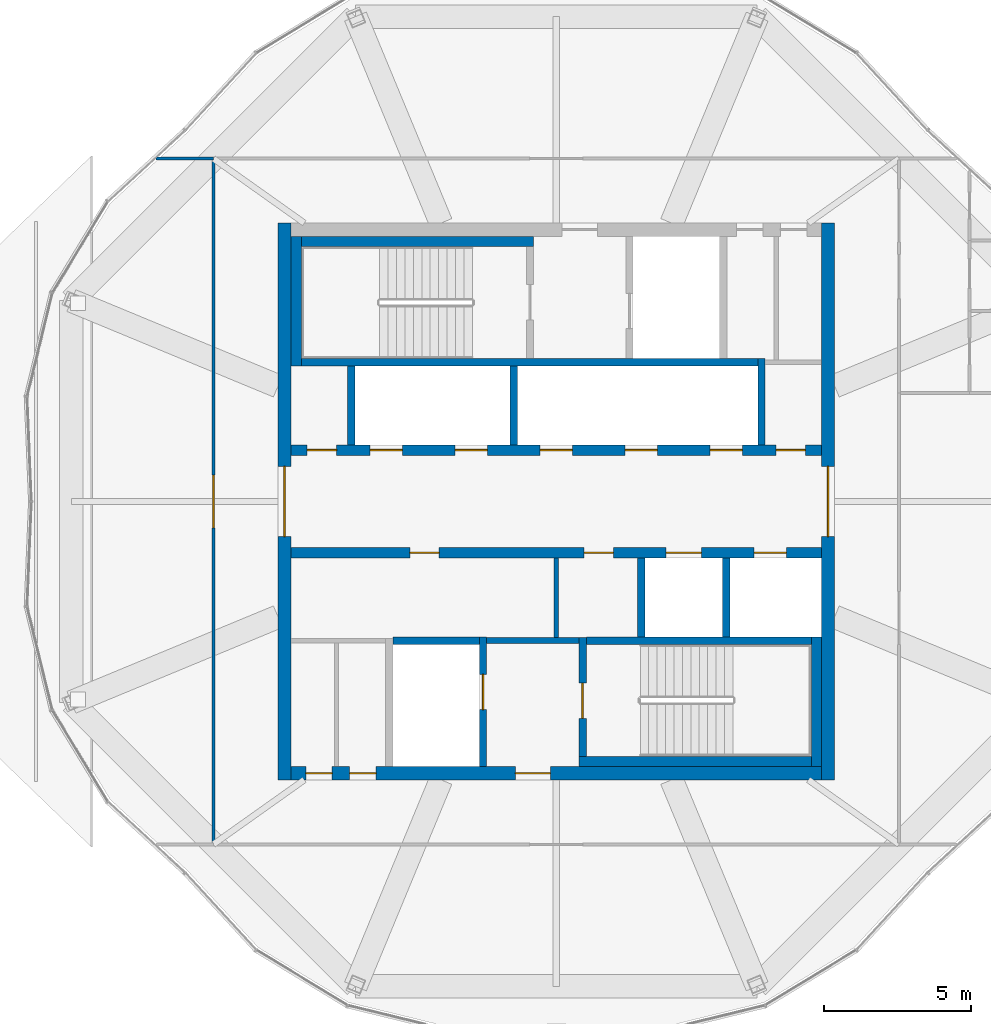
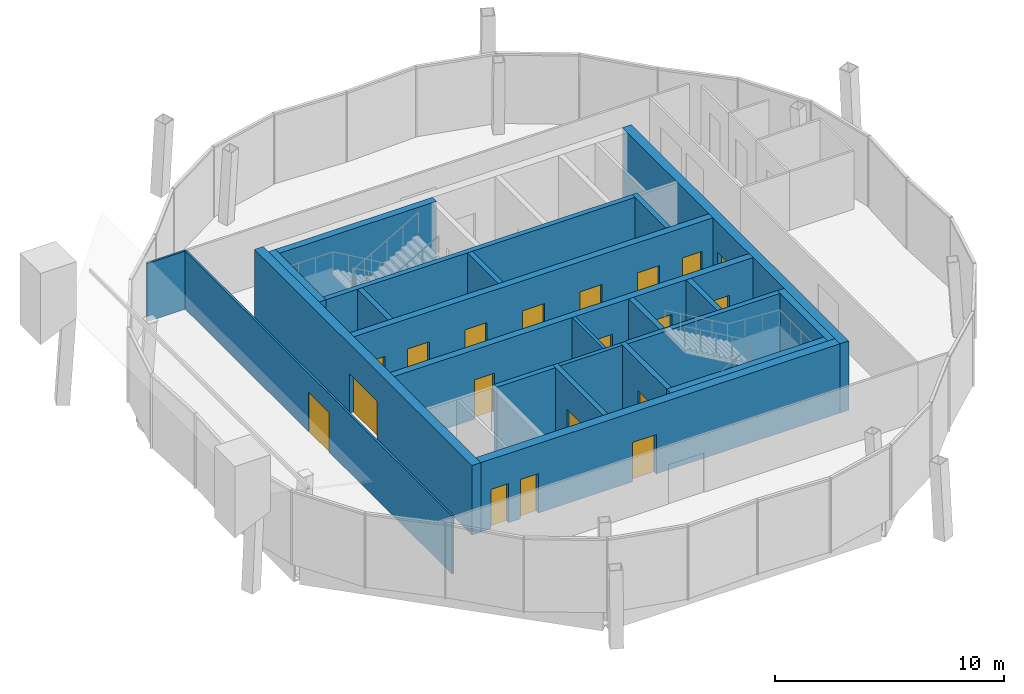
# One storey, part 16 of 22: 23 walls, 19 doors, 19 openings.
"""IFC4 building model written with IfcOpenShell, lengths in metres."""

import ifcopenshell
import ifcopenshell.guid

model = None  # the IFC model being written
_history = None  # IfcOwnerHistory: only IFC2X3 demands one
_inside = {}  # id of a spatial element -> (the spatial element, [elements in it])
_under = {}  # id of a project, library or spatial element -> (it, [spatial elements below it])
_declared = {}  # id of a project -> (the project, [libraries it declares])
_typed = {}  # id of a type object -> (the type object, [elements of that type])
_made_of = {}  # id of a material, layer set ... -> (it, [elements and type objects made of it])


def new_model(schema):
    """Start an empty IFC model of exactly this schema.

    Asked for "IFC4X3", IfcOpenShell would pick the latest addendum, in which some entities
    have other attributes; the version numbers below select the first issue.
    IFC2X3 requires an IfcOwnerHistory on every rooted entity: one is made here for all.
    """
    global model, _history
    if schema == "IFC4X3":
        model = ifcopenshell.file(schema_version=(4, 3, 0, 0))
    else:
        model = ifcopenshell.file(schema=schema)
    _inside.clear()
    _under.clear()
    _declared.clear()
    _typed.clear()
    _made_of.clear()
    _history = None
    if model.schema == "IFC2X3":
        org = make("IfcOrganization", Name="unknown")
        user = make(
            "IfcPersonAndOrganization",
            ThePerson=make("IfcPerson", FamilyName="unknown"),
            TheOrganization=org,
        )
        app = make(
            "IfcApplication",
            ApplicationDeveloper=org,
            Version="unknown",
            ApplicationFullName="unknown",
            ApplicationIdentifier="unknown",
        )
        _history = make(
            "IfcOwnerHistory",
            OwningUser=user,
            OwningApplication=app,
            ChangeAction="ADDED",
            CreationDate=0,
        )
    return model


def make(cls, **values):
    """One entity of the class cls with the attributes given. An attribute that is None is left unset."""
    return model.create_entity(
        cls, **{name: value for name, value in values.items() if value is not None}
    )


def rooted(cls, **values):
    """An entity with a GlobalId (a new one), such as an element, a storey or a relation."""
    return make(cls, GlobalId=ifcopenshell.guid.new(), OwnerHistory=_history, **values)


def si_unit(unit_type, name, prefix=None):
    """IfcSIUnit, for example si_unit("LENGTHUNIT", "METRE", prefix="MILLI")."""
    return make("IfcSIUnit", UnitType=unit_type, Prefix=prefix, Name=name)


def assignment(units):
    """IfcUnitAssignment: the units of a project."""
    return None if units is None else make("IfcUnitAssignment", Units=units)


def point(xyz):
    """IfcCartesianPoint."""
    return None if xyz is None else make("IfcCartesianPoint", Coordinates=xyz)


def direction(xyz):
    """IfcDirection."""
    return None if xyz is None else make("IfcDirection", DirectionRatios=xyz)


def frame(location, z_axis=None, x_axis=None):
    """IfcAxis2Placement3D, a coordinate frame: its origin and axes. An axis left out is left unset."""
    return make(
        "IfcAxis2Placement3D",
        Location=point(location),
        Axis=direction(z_axis),
        RefDirection=direction(x_axis),
    )


def frame_2d(location, x_axis=None):
    """IfcAxis2Placement2D, a coordinate frame in the plane: its origin and x axis."""
    return make(
        "IfcAxis2Placement2D", Location=point(location), RefDirection=direction(x_axis)
    )


def origin():
    """The frame at (0, 0, 0) with its axes left unset."""
    return frame((0.0, 0.0, 0.0))


def place(relative_to, where):
    """IfcLocalPlacement: puts the frame where relative to a parent placement (None: the world)."""
    return make(
        "IfcLocalPlacement", PlacementRelTo=relative_to, RelativePlacement=where
    )


def context(
    kind, dimensions, precision=None, world=None, true_north=None, identifier=None
):
    """IfcGeometricRepresentationContext, for example the 3D "Model" context."""
    return make(
        "IfcGeometricRepresentationContext",
        ContextIdentifier=identifier,
        ContextType=kind,
        CoordinateSpaceDimension=dimensions,
        Precision=precision,
        WorldCoordinateSystem=world,
        TrueNorth=true_north,
    )


def subcontext(parent, identifier, kind, view, scale=None):
    """IfcGeometricRepresentationSubContext, for example "Body" below "Model"."""
    return make(
        "IfcGeometricRepresentationSubContext",
        ContextIdentifier=identifier,
        ContextType=kind,
        ParentContext=parent,
        TargetScale=scale,
        TargetView=view,
    )


def project(units=None, contexts=None):
    """IfcProject with its units and contexts."""
    return rooted(
        "IfcProject",
        Name="project",
        RepresentationContexts=contexts,
        UnitsInContext=assignment(units),
    )


def spatial(cls, under=None, at=None, **own):
    """A site, building, storey or space (cls), placed at a placement, below another one or the project."""
    s = rooted(cls, ObjectPlacement=at, **own)
    if under is not None:
        _under.setdefault(under.id(), (under, []))[1].append(s)
    return s


def profile(cls, at=None, kind="AREA", **sizes):
    """A parametric profile (cls). Its sizes go by their IFC names, for example OverallWidth=200.0."""
    return make(cls, ProfileType=kind, Position=at, **sizes)


def rectangle(**sizes):
    """IfcRectangleProfileDef."""
    return profile("IfcRectangleProfileDef", **sizes)


def extrude(swept, where, along, depth):
    """IfcExtrudedAreaSolid: the profile swept, set in the frame where, extruded along a direction by depth."""
    return make(
        "IfcExtrudedAreaSolid",
        SweptArea=swept,
        Position=where,
        ExtrudedDirection=direction(along),
        Depth=depth,
    )


def shape(context_of_items, identifier, shape_type, items):
    """IfcShapeRepresentation: the items that make up one representation, for example the "Body"."""
    return make(
        "IfcShapeRepresentation",
        ContextOfItems=context_of_items,
        RepresentationIdentifier=identifier,
        RepresentationType=shape_type,
        Items=items,
    )


def material(Name=None, Category=None):
    """IfcMaterial."""
    return make("IfcMaterial", Name=Name, Category=Category)


def layer(
    of_material, thickness, ventilated=None, Name=None, Category=None, Priority=None
):
    """IfcMaterialLayer: one layer of a wall or slab, of a material (None: an air gap)."""
    return make(
        "IfcMaterialLayer",
        Material=of_material,
        LayerThickness=thickness,
        IsVentilated=ventilated,
        Name=Name,
        Category=Category,
        Priority=Priority,
    )


def layer_set(layers, Name=None):
    """IfcMaterialLayerSet."""
    return make("IfcMaterialLayerSet", MaterialLayers=layers, LayerSetName=Name)


def made_of(thing, what):
    """Note that an element or type object is made of a material, layer set ...; save() writes the relation."""
    if what is not None:
        _made_of.setdefault(what.id(), (what, []))[1].append(thing)
    return thing


def type_object(cls, material=None, **own):
    """A type object (cls), such as IfcWallType, which elements share."""
    return made_of(rooted(cls, **own), material)


def element(
    cls,
    number,
    at=None,
    inside=None,
    cuts=None,
    type_object=None,
    material=None,
    context=None,
    identifier="Body",
    shape_type=None,
    held_by="IfcProductDefinitionShape",
    body=None,
    shapes=None,
    **own,
):
    """One element of the class cls, such as IfcWall. Its Tag is "e" and its number.

    at: its placement. inside: the storey or other place that contains it. cuts: it is an
    opening in that element (IfcRelVoidsElement). A single representation is given by context,
    identifier, shape_type and body (its items); several are given by shapes. held_by: the class
    of the entity that holds the representations. save() writes the other relations.
    """
    e = rooted(cls, Tag="e%d" % number, ObjectPlacement=at, **own)
    if body is not None:
        shapes = [shape(context, identifier, shape_type, body)]
    if shapes is not None:
        e.Representation = make(held_by, Representations=shapes)
    if inside is not None:
        _inside.setdefault(inside.id(), (inside, []))[1].append(e)
    if cuts is not None:
        rooted(
            "IfcRelVoidsElement", RelatingBuildingElement=cuts, RelatedOpeningElement=e
        )
    if type_object is not None:
        _typed.setdefault(type_object.id(), (type_object, []))[1].append(e)
    return made_of(e, material)


def fill(opening, filler):
    """IfcRelFillsElement: the door or window that sits in an opening."""
    return rooted(
        "IfcRelFillsElement",
        RelatingOpeningElement=opening,
        RelatedBuildingElement=filler,
    )


def aggregate(whole, parts):
    """IfcRelAggregates: a whole, such as a stair, and the parts it consists of."""
    return rooted("IfcRelAggregates", RelatingObject=whole, RelatedObjects=parts)


def save(model, path):
    """Write the relations noted so far, then the file.

    IfcRelAggregates (storeys below a building ...), IfcRelContainedInSpatialStructure (elements
    in a storey), IfcRelDefinesByType, IfcRelAssociatesMaterial and IfcRelDeclares: one each for
    every whole, place, type object, material and project.
    """
    for whole, parts in _under.values():
        aggregate(whole, parts)
    for where, things in _inside.values():
        rooted(
            "IfcRelContainedInSpatialStructure",
            RelatedElements=things,
            RelatingStructure=where,
        )
    for kind, things in _typed.values():
        rooted("IfcRelDefinesByType", RelatedObjects=things, RelatingType=kind)
    for what, things in _made_of.values():
        rooted("IfcRelAssociatesMaterial", RelatedObjects=things, RelatingMaterial=what)
    for by, libraries in _declared.values():
        rooted("IfcRelDeclares", RelatingContext=by, RelatedDefinitions=libraries)
    model.write(path)


model = new_model("IFC4")

# Units and contexts
model_context = context("Model", 3, precision=1e-05, world=origin(), true_north=direction((0.0, 1.0)))
body_context = subcontext(model_context, "Body", "Model", "MODEL_VIEW")
ifc_project = project(units=[si_unit("LENGTHUNIT", "METRE"), si_unit("AREAUNIT", "SQUARE_METRE"), si_unit("VOLUMEUNIT", "CUBIC_METRE"), si_unit("PLANEANGLEUNIT", "RADIAN"), si_unit("MASSUNIT", "GRAM", prefix="KILO")], contexts=[model_context])

# Site, building, storey
site_placement = place(None, origin())
site = spatial("IfcSite", under=ifc_project, at=site_placement, CompositionType="ELEMENT")
building_placement = place(site_placement, origin())
building = spatial("IfcBuilding", under=site, at=building_placement, Name="Ogive Gate Towers", CompositionType="ELEMENT")
storey_placement = place(building_placement, frame((0.0, 0.0, 298.0)))
storey = spatial("IfcBuildingStorey", under=building, at=storey_placement, Name="L70", CompositionType="ELEMENT", Elevation=298.0)

# Wall
ifc_material_1 = material(Name="Masonry blockwork", Category="masonry")
ifc_layer_1 = layer(ifc_material_1, 0.199951171875)
ifc_layer_set_1 = layer_set([ifc_layer_1], Name="Blockwork wall 200 mm")
wall_type_1 = type_object("IfcWallType", Name="Blockwork wall 200 mm", PredefinedType="PARTITIONING", material=ifc_layer_set_1)
wall_1_placement = place(storey_placement, frame((-38.375, -4.75, 0.0), z_axis=(0.0, 0.0, 1.0), x_axis=(1.0, 0.0, 0.0)))
element("IfcWall", 1, at=wall_1_placement, inside=storey, type_object=wall_type_1, Name="T1 L70 Blockwork wall 200 mm", PredefinedType="PARTITIONING", context=body_context, shape_type="SweptSolid", body=[
    extrude(rectangle(XDim=3.14990234375, YDim=0.199951171875, at=frame_2d((1.574951171875, 0.0))), origin(), (0.0, 0.0, 1.0), 3.699951171875),
])

# Wall, openings, doors
ifc_material_2 = material(Name="Concrete C60/75", Category="concrete")
ifc_layer_2 = layer(ifc_material_2, 0.449951171875)
ifc_layer_set_2 = layer_set([ifc_layer_2], Name="Core wall 450 mm")
wall_type_2 = type_object("IfcWallType", Name="Core wall 450 mm", PredefinedType="SHEAR", material=ifc_layer_set_2)
wall_2_placement = place(storey_placement, frame((-45.050048828125, -9.27490234375, 0.0), z_axis=(0.0, 0.0, 1.0), x_axis=(1.0, 0.0, 0.0)))
wall_2 = element("IfcWall", 2, at=wall_2_placement, inside=storey, type_object=wall_type_2, Name="T1 L70 Core wall 450 mm", PredefinedType="SHEAR", context=body_context, shape_type="SweptSolid", body=[
    extrude(rectangle(XDim=18.10009765625, YDim=0.449951171875, at=frame_2d((9.050048828125, 0.0))), origin(), (0.0, 0.0, 1.0), 3.699951171875),
])
opening_1_placement = place(wall_2_placement, frame((7.64990234375, 0.0, 0.0)))
opening_1 = element("IfcOpeningElement", 3, at=opening_1_placement, cuts=wall_2, Name="Opening KD-T1-L70-19", PredefinedType="OPENING", context=body_context, shape_type="SweptSolid", body=[
    extrude(rectangle(XDim=1.199951171875, YDim=2.10009765625, at=frame_2d((0.60009765625, 1.050048828125))), frame((0.0, 0.23486328125, 0.0), z_axis=(0.0, -1.0, 0.0), x_axis=(1.0, 0.0, 0.0)), (0.0, 0.0, 1.0), 0.469970703125),
])
opening_2_placement = place(wall_2_placement, frame((0.5, 0.0, 0.0)))
opening_2 = element("IfcOpeningElement", 4, at=opening_2_placement, cuts=wall_2, Name="Opening KD-T1-L70-22", PredefinedType="OPENING", context=body_context, shape_type="SweptSolid", body=[
    extrude(rectangle(XDim=0.89990234375, YDim=2.10009765625, at=frame_2d((0.449951171875, 1.050048828125))), frame((0.0, 0.23486328125, 0.0), z_axis=(0.0, -1.0, 0.0), x_axis=(1.0, 0.0, 0.0)), (0.0, 0.0, 1.0), 0.469970703125),
])
opening_3_placement = place(wall_2_placement, frame((2.0, 0.0, 0.0)))
opening_3 = element("IfcOpeningElement", 5, at=opening_3_placement, cuts=wall_2, Name="Opening KD-T1-L70-23", PredefinedType="OPENING", context=body_context, shape_type="SweptSolid", body=[
    extrude(rectangle(XDim=0.89990234375, YDim=2.10009765625, at=frame_2d((0.449951171875, 1.050048828125))), frame((0.0, 0.23486328125, 0.0), z_axis=(0.0, -1.0, 0.0), x_axis=(1.0, 0.0, 0.0)), (0.0, 0.0, 1.0), 0.469970703125),
])
ifc_material_3 = material(Name="Steel fire door", Category="steel")
door_type_1 = type_object("IfcDoorType", Name="Core door FD60S 1200 x 2100", OperationType="NOTDEFINED", PredefinedType="DOOR", material=ifc_material_3)
door_1_placement = place(opening_1_placement, origin())
door_1 = element("IfcDoor", 6, at=door_1_placement, inside=storey, type_object=door_type_1, Name="T1 L70 Fire-fighting lobby door", OperationType="SINGLE_SWING_RIGHT", OverallHeight=2.10009765625, OverallWidth=1.199951171875, PredefinedType="DOOR", context=body_context, shape_type="SweptSolid", body=[
    extrude(rectangle(XDim=1.199951171875, YDim=2.10009765625, at=frame_2d((0.60009765625, 1.050048828125))), frame((0.0, 0.02490234375, 0.0), z_axis=(0.0, -1.0, 0.0), x_axis=(1.0, 0.0, 0.0)), (0.0, 0.0, 1.0), 0.050048828125),
])
fill(opening_1, door_1)
door_type_2 = type_object("IfcDoorType", Name="Core door FD60S 900 x 2100", OperationType="NOTDEFINED", PredefinedType="DOOR", material=ifc_material_3)
door_2_placement = place(opening_2_placement, origin())
door_2 = element("IfcDoor", 7, at=door_2_placement, inside=storey, type_object=door_type_2, Name="T1 L70 Core door", OperationType="SINGLE_SWING_LEFT", OverallHeight=2.10009765625, OverallWidth=0.89990234375, PredefinedType="DOOR", context=body_context, shape_type="SweptSolid", body=[
    extrude(rectangle(XDim=0.89990234375, YDim=2.10009765625, at=frame_2d((0.449951171875, 1.050048828125))), frame((0.0, 0.02490234375, 0.0), z_axis=(0.0, -1.0, 0.0), x_axis=(1.0, 0.0, 0.0)), (0.0, 0.0, 1.0), 0.050048828125),
])
fill(opening_2, door_2)
door_3_placement = place(opening_3_placement, origin())
door_3 = element("IfcDoor", 8, at=door_3_placement, inside=storey, type_object=door_type_2, Name="T1 L70 Core door", OperationType="SINGLE_SWING_RIGHT", OverallHeight=2.10009765625, OverallWidth=0.89990234375, PredefinedType="DOOR", context=body_context, shape_type="SweptSolid", body=[
    extrude(rectangle(XDim=0.89990234375, YDim=2.10009765625, at=frame_2d((0.449951171875, 1.050048828125))), frame((0.0, 0.02490234375, 0.0), z_axis=(0.0, -1.0, 0.0), x_axis=(1.0, 0.0, 0.0)), (0.0, 0.0, 1.0), 0.050048828125),
])
fill(opening_3, door_3)

# Wall, opening, door
wall_3_placement = place(storey_placement, frame((-45.27490234375, -9.5, 0.0), z_axis=(0.0, 0.0, 1.0), x_axis=(0.0, 1.0, 0.0)))
wall_3 = element("IfcWall", 9, at=wall_3_placement, inside=storey, type_object=wall_type_2, Name="T1 L70 Core wall 450 mm", PredefinedType="SHEAR", context=body_context, shape_type="SweptSolid", body=[
    extrude(rectangle(XDim=19.0, YDim=0.449951171875, at=frame_2d((9.5, 0.0))), origin(), (0.0, 0.0, 1.0), 3.699951171875),
])
opening_4_placement = place(wall_3_placement, frame((8.300048828125, 0.0, 0.0)))
opening_4 = element("IfcOpeningElement", 10, at=opening_4_placement, cuts=wall_3, Name="Opening KD-T1-L70-01", PredefinedType="OPENING", context=body_context, shape_type="SweptSolid", body=[
    extrude(rectangle(XDim=2.39990234375, YDim=2.10009765625, at=frame_2d((1.199951171875, 1.050048828125))), frame((0.0, 0.23486328125, 0.0), z_axis=(0.0, -1.0, 0.0), x_axis=(1.0, 0.0, 0.0)), (0.0, 0.0, 1.0), 0.469970703125),
])
door_type_3 = type_object("IfcDoorType", Name="Core double door FD60S 2400 x 2100", OperationType="DOUBLE_DOOR_SINGLE_SWING", PredefinedType="DOOR", material=ifc_material_3)
door_4_placement = place(opening_4_placement, origin())
door_4 = element("IfcDoor", 11, at=door_4_placement, inside=storey, type_object=door_type_3, Name="T1 L70 Core door double", OperationType="DOUBLE_DOOR_SINGLE_SWING", OverallHeight=2.10009765625, OverallWidth=2.39990234375, PredefinedType="DOOR", context=body_context, shape_type="SweptSolid", body=[
    extrude(rectangle(XDim=2.39990234375, YDim=2.10009765625, at=frame_2d((1.199951171875, 1.050048828125))), frame((0.0, 0.02490234375, 0.0), z_axis=(0.0, -1.0, 0.0), x_axis=(1.0, 0.0, 0.0)), (0.0, 0.0, 1.0), 0.050048828125),
])
fill(opening_4, door_4)

wall_4_placement = place(storey_placement, frame((-26.72509765625, -9.5, 0.0), z_axis=(0.0, 0.0, 1.0), x_axis=(0.0, 1.0, 0.0)))
wall_4 = element("IfcWall", 12, at=wall_4_placement, inside=storey, type_object=wall_type_2, Name="T1 L70 Core wall 450 mm", PredefinedType="SHEAR", context=body_context, shape_type="SweptSolid", body=[
    extrude(rectangle(XDim=19.0, YDim=0.449951171875, at=frame_2d((9.5, 0.0))), origin(), (0.0, 0.0, 1.0), 3.699951171875),
])
opening_5_placement = place(wall_4_placement, frame((8.300048828125, 0.0, 0.0)))
opening_5 = element("IfcOpeningElement", 13, at=opening_5_placement, cuts=wall_4, Name="Opening KD-T1-L70-02", PredefinedType="OPENING", context=body_context, shape_type="SweptSolid", body=[
    extrude(rectangle(XDim=2.39990234375, YDim=2.10009765625, at=frame_2d((1.199951171875, 1.050048828125))), frame((0.0, 0.23486328125, 0.0), z_axis=(0.0, -1.0, 0.0), x_axis=(1.0, 0.0, 0.0)), (0.0, 0.0, 1.0), 0.469970703125),
])
door_5_placement = place(opening_5_placement, origin())
door_5 = element("IfcDoor", 14, at=door_5_placement, inside=storey, type_object=door_type_3, Name="T1 L70 Core door double", OperationType="DOUBLE_DOOR_SINGLE_SWING", OverallHeight=2.10009765625, OverallWidth=2.39990234375, PredefinedType="DOOR", context=body_context, shape_type="SweptSolid", body=[
    extrude(rectangle(XDim=2.39990234375, YDim=2.10009765625, at=frame_2d((1.199951171875, 1.050048828125))), frame((0.0, 0.02490234375, 0.0), z_axis=(0.0, -1.0, 0.0), x_axis=(1.0, 0.0, 0.0)), (0.0, 0.0, 1.0), 0.050048828125),
])
fill(opening_5, door_5)

# Wall
ifc_material_4 = material(Name="Gypsum board partition")
ifc_layer_3 = layer(ifc_material_4, 0.10009765625)
ifc_layer_set_3 = layer_set([ifc_layer_3], Name="Partition wall 100")
wall_type_3 = type_object("IfcWallType", Name="Partition wall 100", PredefinedType="PARTITIONING", material=ifc_layer_set_3)
wall_5_placement = place(storey_placement, frame((-49.66796875, 11.699951171875, 0.0), z_axis=(0.0, 0.0, 1.0), x_axis=(1.0, 0.0, 0.0)))
element("IfcWall", 15, at=wall_5_placement, inside=storey, type_object=wall_type_3, Name="L70 partition 011", PredefinedType="PARTITIONING", context=body_context, shape_type="SweptSolid", body=[
    extrude(rectangle(XDim=1.968017578125, YDim=0.10009765625, at=frame_2d((0.98388671875, 0.0))), origin(), (0.0, 0.0, 1.0), 3.10009765625),
])

# Wall, opening, door
wall_6_placement = place(storey_placement, frame((-47.699951171875, -11.64990234375, 0.0), z_axis=(0.0, 0.0, 1.0), x_axis=(0.0, 1.0, 0.0)))
wall_6 = element("IfcWall", 16, at=wall_6_placement, inside=storey, type_object=wall_type_3, Name="L70 partition 016", PredefinedType="PARTITIONING", context=body_context, shape_type="SweptSolid", body=[
    extrude(rectangle(XDim=23.2998046875, YDim=0.10009765625, at=frame_2d((11.64990234375, 0.0))), origin(), (0.0, 0.0, 1.0), 3.10009765625),
])
opening_6_placement = place(wall_6_placement, frame((10.75, 0.0, 0.0)))
opening_6 = element("IfcOpeningElement", 17, at=opening_6_placement, cuts=wall_6, Name="Opening PO311", PredefinedType="OPENING", context=body_context, shape_type="SweptSolid", body=[
    extrude(rectangle(XDim=1.800048828125, YDim=2.10009765625, at=frame_2d((0.89990234375, 1.050048828125))), frame((0.0, 0.06005859375, 0.0), z_axis=(0.0, -1.0, 0.0), x_axis=(1.0, 0.0, 0.0)), (0.0, 0.0, 1.0), 0.1201171875),
])
ifc_material_5 = material(Name="Timber door", Category="wood")
door_type_4 = type_object("IfcDoorType", Name="Double door 1800 x 2100", OperationType="NOTDEFINED", PredefinedType="DOOR", material=ifc_material_5)
door_6_placement = place(opening_6_placement, origin())
door_6 = element("IfcDoor", 18, at=door_6_placement, inside=storey, type_object=door_type_4, Name="Door PO311", OperationType="DOUBLE_DOOR_DOUBLE_SWING", OverallHeight=2.10009765625, OverallWidth=1.800048828125, PredefinedType="DOOR", context=body_context, shape_type="SweptSolid", body=[
    extrude(rectangle(XDim=1.800048828125, YDim=2.10009765625, at=frame_2d((0.89990234375, 1.050048828125))), frame((0.0, 0.02490234375, 0.0), z_axis=(0.0, -1.0, 0.0), x_axis=(1.0, 0.0, 0.0)), (0.0, 0.0, 1.0), 0.050048828125),
])
fill(opening_6, door_6)

# Walls
ifc_layer_4 = layer(ifc_material_4, 0.14990234375)
ifc_layer_set_4 = layer_set([ifc_layer_4], Name="Room partition 150 mm")
wall_type_4 = type_object("IfcWallType", Name="Room partition 150 mm", PredefinedType="PARTITIONING", material=ifc_layer_set_4)
wall_7_placement = place(storey_placement, frame((-36.0, -4.64990234375, 0.0), z_axis=(0.0, 0.0, 1.0), x_axis=(0.0, 1.0, 0.0)))
element("IfcWall", 19, at=wall_7_placement, inside=storey, type_object=wall_type_4, Name="T1 L70 Room partition 150 mm", PredefinedType="PARTITIONING", context=body_context, shape_type="SweptSolid", body=[
    extrude(rectangle(XDim=2.724853515625, YDim=0.14990234375, at=frame_2d((1.3623046875, 0.0))), origin(), (0.0, 0.0, 1.0), 3.699951171875),
])
ifc_layer_5 = layer(ifc_material_2, 0.25)
ifc_layer_set_5 = layer_set([ifc_layer_5], Name="Shaft wall 250 mm")
wall_type_5 = type_object("IfcWallType", Name="Shaft wall 250 mm", PredefinedType="SHEAR", material=ifc_layer_set_5)
wall_8_placement = place(storey_placement, frame((-41.574951171875, -4.75, 0.0), z_axis=(0.0, 0.0, 1.0), x_axis=(1.0, 0.0, 0.0)))
element("IfcWall", 20, at=wall_8_placement, inside=storey, type_object=wall_type_5, Name="T1 L70 Shaft wall 250 mm", PredefinedType="SHEAR", context=body_context, shape_type="SweptSolid", body=[
    extrude(rectangle(XDim=2.949951171875, YDim=0.25, at=frame_2d((1.47509765625, 0.0))), origin(), (0.0, 0.0, 1.0), 3.699951171875),
])
wall_9_placement = place(storey_placement, frame((-34.97509765625, -4.75, 0.0), z_axis=(0.0, 0.0, 1.0), x_axis=(1.0, 0.0, 0.0)))
element("IfcWall", 21, at=wall_9_placement, inside=storey, type_object=wall_type_5, Name="T1 L70 Shaft wall 250 mm", PredefinedType="SHEAR", context=body_context, shape_type="SweptSolid", body=[
    extrude(rectangle(XDim=7.675048828125, YDim=0.25, at=frame_2d((3.83740234375, 0.0))), origin(), (0.0, 0.0, 1.0), 3.699951171875),
])
wall_10_placement = place(storey_placement, frame((-44.699951171875, 4.75, 0.0), z_axis=(0.0, 0.0, 1.0), x_axis=(1.0, 0.0, 0.0)))
element("IfcWall", 22, at=wall_10_placement, inside=storey, type_object=wall_type_5, Name="T1 L70 Shaft wall 250 mm", PredefinedType="SHEAR", context=body_context, shape_type="SweptSolid", body=[
    extrude(rectangle(XDim=15.574951171875, YDim=0.25, at=frame_2d((7.78759765625, 0.0))), origin(), (0.0, 0.0, 1.0), 3.699951171875),
])
wall_11_placement = place(storey_placement, frame((-43.0, 1.925048828125, 0.0), z_axis=(0.0, 0.0, 1.0), x_axis=(0.0, 1.0, 0.0)))
element("IfcWall", 23, at=wall_11_placement, inside=storey, type_object=wall_type_5, Name="T1 L70 Shaft wall 250 mm", PredefinedType="SHEAR", context=body_context, shape_type="SweptSolid", body=[
    extrude(rectangle(XDim=2.699951171875, YDim=0.25, at=frame_2d((1.35009765625, 0.0))), origin(), (0.0, 0.0, 1.0), 3.699951171875),
])

# Wall, opening, door
wall_12_placement = place(storey_placement, frame((-38.5, -9.050048828125, 0.0), z_axis=(0.0, 0.0, 1.0), x_axis=(0.0, 1.0, 0.0)))
wall_12 = element("IfcWall", 24, at=wall_12_placement, inside=storey, type_object=wall_type_5, Name="T1 L70 Shaft wall 250 mm", PredefinedType="SHEAR", context=body_context, shape_type="SweptSolid", body=[
    extrude(rectangle(XDim=4.425048828125, YDim=0.25, at=frame_2d((2.21240234375, 0.0))), origin(), (0.0, 0.0, 1.0), 3.699951171875),
])
opening_7_placement = place(wall_12_placement, frame((1.949951171875, 0.0, 0.0)))
opening_7 = element("IfcOpeningElement", 25, at=opening_7_placement, cuts=wall_12, Name="Opening LD-T1-L70-13", PredefinedType="OPENING", context=body_context, shape_type="SweptSolid", body=[
    extrude(rectangle(XDim=1.199951171875, YDim=2.10009765625, at=frame_2d((0.60009765625, 1.050048828125))), frame((0.0, 0.135009765625, 0.0), z_axis=(0.0, -1.0, 0.0), x_axis=(1.0, 0.0, 0.0)), (0.0, 0.0, 1.0), 0.27001953125),
])
ifc_material_6 = material(Name="Stainless steel landing door", Category="steel")
door_type_5 = type_object("IfcDoorType", Name="Landing door 1200 x 2100", OperationType="SLIDING_TO_LEFT", PredefinedType="DOOR", material=ifc_material_6)
door_7_placement = place(opening_7_placement, origin())
door_7 = element("IfcDoor", 26, at=door_7_placement, inside=storey, type_object=door_type_5, Name="T1 L70 Lift landing door FF2", OperationType="SLIDING_TO_LEFT", OverallHeight=2.10009765625, OverallWidth=1.199951171875, PredefinedType="DOOR", context=body_context, shape_type="SweptSolid", body=[
    extrude(rectangle(XDim=1.199951171875, YDim=2.10009765625, at=frame_2d((0.60009765625, 1.050048828125))), frame((0.0, 0.02490234375, 0.0), z_axis=(0.0, -1.0, 0.0), x_axis=(1.0, 0.0, 0.0)), (0.0, 0.0, 1.0), 0.050048828125),
])
fill(opening_7, door_7)

# Wall
wall_13_placement = place(storey_placement, frame((-37.449951171875, 1.925048828125, 0.0), z_axis=(0.0, 0.0, 1.0), x_axis=(0.0, 1.0, 0.0)))
element("IfcWall", 27, at=wall_13_placement, inside=storey, type_object=wall_type_5, Name="T1 L70 Shaft wall 250 mm", PredefinedType="SHEAR", context=body_context, shape_type="SweptSolid", body=[
    extrude(rectangle(XDim=2.699951171875, YDim=0.25, at=frame_2d((1.35009765625, 0.0))), origin(), (0.0, 0.0, 1.0), 3.699951171875),
])

# Wall, opening, door
wall_14_placement = place(storey_placement, frame((-35.10009765625, -8.699951171875, 0.0), z_axis=(0.0, 0.0, 1.0), x_axis=(0.0, 1.0, 0.0)))
wall_14 = element("IfcWall", 28, at=wall_14_placement, inside=storey, type_object=wall_type_5, Name="T1 L70 Shaft wall 250 mm", PredefinedType="SHEAR", context=body_context, shape_type="SweptSolid", body=[
    extrude(rectangle(XDim=4.050048828125, YDim=0.25, at=frame_2d((2.02490234375, 0.0))), origin(), (0.0, 0.0, 1.0), 3.699951171875),
])
opening_8_placement = place(wall_14_placement, frame((1.300048828125, 0.0, 0.0)))
opening_8 = element("IfcOpeningElement", 29, at=opening_8_placement, cuts=wall_14, Name="Opening KD-T1-L70-17", PredefinedType="OPENING", context=body_context, shape_type="SweptSolid", body=[
    extrude(rectangle(XDim=1.199951171875, YDim=2.10009765625, at=frame_2d((0.60009765625, 1.050048828125))), frame((0.0, 0.135009765625, 0.0), z_axis=(0.0, -1.0, 0.0), x_axis=(1.0, 0.0, 0.0)), (0.0, 0.0, 1.0), 0.27001953125),
])
door_8_placement = place(opening_8_placement, origin())
door_8 = element("IfcDoor", 30, at=door_8_placement, inside=storey, type_object=door_type_1, Name="T1 L70 Stair door", OperationType="SINGLE_SWING_RIGHT", OverallHeight=2.10009765625, OverallWidth=1.199951171875, PredefinedType="DOOR", context=body_context, shape_type="SweptSolid", body=[
    extrude(rectangle(XDim=1.199951171875, YDim=2.10009765625, at=frame_2d((0.60009765625, 1.050048828125))), frame((0.0, 0.02490234375, 0.0), z_axis=(0.0, -1.0, 0.0), x_axis=(1.0, 0.0, 0.0)), (0.0, 0.0, 1.0), 0.050048828125),
])
fill(opening_8, door_8)

# Walls
for number, where, z_axis, x_axis, name in (
    (31, (-33.10009765625, -4.625, 0.0), (0.0, 0.0, 1.0), (0.0, 1.0, 0.0), "T1 L70 Shaft wall 250 mm"),
    (32, (-30.199951171875, -4.625, 0.0), (0.0, 0.0, 1.0), (0.0, 1.0, 0.0), "T1 L70 Shaft wall 250 mm"),
):
    element("IfcWall", number, at=place(storey_placement, frame(where, z_axis=z_axis, x_axis=x_axis)), inside=storey, type_object=wall_type_5, Name=name, PredefinedType="SHEAR", context=body_context, shape_type="SweptSolid", body=[
        extrude(rectangle(XDim=2.699951171875, YDim=0.25, at=frame_2d((1.35009765625, 0.0))), origin(), (0.0, 0.0, 1.0), 3.699951171875),
    ])
wall_15_placement = place(storey_placement, frame((-29.0, 1.925048828125, 0.0), z_axis=(0.0, 0.0, 1.0), x_axis=(0.0, 1.0, 0.0)))
element("IfcWall", 33, at=wall_15_placement, inside=storey, type_object=wall_type_5, Name="T1 L70 Shaft wall 250 mm", PredefinedType="SHEAR", context=body_context, shape_type="SweptSolid", body=[
    extrude(rectangle(XDim=2.949951171875, YDim=0.25, at=frame_2d((1.47509765625, 0.0))), origin(), (0.0, 0.0, 1.0), 3.699951171875),
])

# Wall, openings, doors
ifc_layer_6 = layer(ifc_material_2, 0.35009765625)
ifc_layer_set_6 = layer_set([ifc_layer_6], Name="Spine wall 350 mm")
wall_type_6 = type_object("IfcWallType", Name="Spine wall 350 mm", PredefinedType="SHEAR", material=ifc_layer_set_6)
wall_16_placement = place(storey_placement, frame((-45.050048828125, -1.75, 0.0), z_axis=(0.0, 0.0, 1.0), x_axis=(1.0, 0.0, 0.0)))
wall_16 = element("IfcWall", 34, at=wall_16_placement, inside=storey, type_object=wall_type_6, Name="T1 L70 Spine wall 350 mm", PredefinedType="SHEAR", context=body_context, shape_type="SweptSolid", body=[
    extrude(rectangle(XDim=18.10009765625, YDim=0.35009765625, at=frame_2d((9.050048828125, 0.0))), origin(), (0.0, 0.0, 1.0), 3.699951171875),
])
opening_9_placement = place(wall_16_placement, frame((12.800048828125, 0.0, 0.0)))
opening_9 = element("IfcOpeningElement", 35, at=opening_9_placement, cuts=wall_16, Name="Opening LD-T1-L70-10", PredefinedType="OPENING", context=body_context, shape_type="SweptSolid", body=[
    extrude(rectangle(XDim=1.199951171875, YDim=2.10009765625, at=frame_2d((0.60009765625, 1.050048828125))), frame((0.0, 0.18505859375, 0.0), z_axis=(0.0, -1.0, 0.0), x_axis=(1.0, 0.0, 0.0)), (0.0, 0.0, 1.0), 0.3701171875),
])
opening_10_placement = place(wall_16_placement, frame((15.800048828125, 0.0, 0.0)))
opening_10 = element("IfcOpeningElement", 36, at=opening_10_placement, cuts=wall_16, Name="Opening LD-T1-L70-11", PredefinedType="OPENING", context=body_context, shape_type="SweptSolid", body=[
    extrude(rectangle(XDim=1.10009765625, YDim=2.10009765625, at=frame_2d((0.550048828125, 1.050048828125))), frame((0.0, 0.18505859375, 0.0), z_axis=(0.0, -1.0, 0.0), x_axis=(1.0, 0.0, 0.0)), (0.0, 0.0, 1.0), 0.3701171875),
])
opening_11_placement = place(wall_16_placement, frame((4.050048828125, 0.0, 0.0)))
opening_11 = element("IfcOpeningElement", 37, at=opening_11_placement, cuts=wall_16, Name="Opening KD-T1-L70-14", PredefinedType="OPENING", context=body_context, shape_type="SweptSolid", body=[
    extrude(rectangle(XDim=1.0, YDim=2.10009765625, at=frame_2d((0.5, 1.050048828125))), frame((0.0, 0.18505859375, 0.0), z_axis=(0.0, -1.0, 0.0), x_axis=(1.0, 0.0, 0.0)), (0.0, 0.0, 1.0), 0.3701171875),
])
opening_12_placement = place(wall_16_placement, frame((10.0, 0.0, 0.0)))
opening_12 = element("IfcOpeningElement", 38, at=opening_12_placement, cuts=wall_16, Name="Opening KD-T1-L70-15", PredefinedType="OPENING", context=body_context, shape_type="SweptSolid", body=[
    extrude(rectangle(XDim=1.0, YDim=2.10009765625, at=frame_2d((0.5, 1.050048828125))), frame((0.0, 0.18505859375, 0.0), z_axis=(0.0, -1.0, 0.0), x_axis=(1.0, 0.0, 0.0)), (0.0, 0.0, 1.0), 0.3701171875),
])
door_type_6 = type_object("IfcDoorType", Name="Core door FD60S 1000 x 2100", OperationType="NOTDEFINED", PredefinedType="DOOR", material=ifc_material_3)
door_9_placement = place(opening_11_placement, origin())
door_9 = element("IfcDoor", 39, at=door_9_placement, inside=storey, type_object=door_type_6, Name="T1 L70 Core door", OperationType="SINGLE_SWING_LEFT", OverallHeight=2.10009765625, OverallWidth=1.0, PredefinedType="DOOR", context=body_context, shape_type="SweptSolid", body=[
    extrude(rectangle(XDim=1.0, YDim=2.10009765625, at=frame_2d((0.5, 1.050048828125))), frame((0.0, 0.02490234375, 0.0), z_axis=(0.0, -1.0, 0.0), x_axis=(1.0, 0.0, 0.0)), (0.0, 0.0, 1.0), 0.050048828125),
])
fill(opening_11, door_9)
door_10_placement = place(opening_12_placement, origin())
door_10 = element("IfcDoor", 40, at=door_10_placement, inside=storey, type_object=door_type_6, Name="T1 L70 Core door", OperationType="SINGLE_SWING_RIGHT", OverallHeight=2.10009765625, OverallWidth=1.0, PredefinedType="DOOR", context=body_context, shape_type="SweptSolid", body=[
    extrude(rectangle(XDim=1.0, YDim=2.10009765625, at=frame_2d((0.5, 1.050048828125))), frame((0.0, 0.02490234375, 0.0), z_axis=(0.0, -1.0, 0.0), x_axis=(1.0, 0.0, 0.0)), (0.0, 0.0, 1.0), 0.050048828125),
])
fill(opening_12, door_10)
door_type_7 = type_object("IfcDoorType", Name="Landing door 1100 x 2100", OperationType="SLIDING_TO_LEFT", PredefinedType="DOOR", material=ifc_material_6)
door_11_placement = place(opening_10_placement, origin())
door_11 = element("IfcDoor", 41, at=door_11_placement, inside=storey, type_object=door_type_7, Name="T1 L70 Lift landing door B6", OperationType="SLIDING_TO_LEFT", OverallHeight=2.10009765625, OverallWidth=1.10009765625, PredefinedType="DOOR", context=body_context, shape_type="SweptSolid", body=[
    extrude(rectangle(XDim=1.10009765625, YDim=2.10009765625, at=frame_2d((0.550048828125, 1.050048828125))), frame((0.0, 0.02490234375, 0.0), z_axis=(0.0, -1.0, 0.0), x_axis=(1.0, 0.0, 0.0)), (0.0, 0.0, 1.0), 0.050048828125),
])
fill(opening_10, door_11)
door_12_placement = place(opening_9_placement, origin())
door_12 = element("IfcDoor", 42, at=door_12_placement, inside=storey, type_object=door_type_5, Name="T1 L70 Lift landing door SVC", OperationType="SLIDING_TO_LEFT", OverallHeight=2.10009765625, OverallWidth=1.199951171875, PredefinedType="DOOR", context=body_context, shape_type="SweptSolid", body=[
    extrude(rectangle(XDim=1.199951171875, YDim=2.10009765625, at=frame_2d((0.60009765625, 1.050048828125))), frame((0.0, 0.02490234375, 0.0), z_axis=(0.0, -1.0, 0.0), x_axis=(1.0, 0.0, 0.0)), (0.0, 0.0, 1.0), 0.050048828125),
])
fill(opening_9, door_12)

wall_17_placement = place(storey_placement, frame((-45.050048828125, 1.75, 0.0), z_axis=(0.0, 0.0, 1.0), x_axis=(1.0, 0.0, 0.0)))
wall_17 = element("IfcWall", 43, at=wall_17_placement, inside=storey, type_object=wall_type_6, Name="T1 L70 Spine wall 350 mm", PredefinedType="SHEAR", context=body_context, shape_type="SweptSolid", body=[
    extrude(rectangle(XDim=18.10009765625, YDim=0.35009765625, at=frame_2d((9.050048828125, 0.0))), origin(), (0.0, 0.0, 1.0), 3.699951171875),
])
opening_13_placement = place(wall_17_placement, frame((0.550048828125, 0.0, 0.0)))
opening_13 = element("IfcOpeningElement", 44, at=opening_13_placement, cuts=wall_17, Name="Opening KD-T1-L70-03", PredefinedType="OPENING", context=body_context, shape_type="SweptSolid", body=[
    extrude(rectangle(XDim=1.0, YDim=2.10009765625, at=frame_2d((0.5, 1.050048828125))), frame((0.0, 0.18505859375, 0.0), z_axis=(0.0, -1.0, 0.0), x_axis=(1.0, 0.0, 0.0)), (0.0, 0.0, 1.0), 0.3701171875),
])
opening_14_placement = place(wall_17_placement, frame((2.699951171875, 0.0, 0.0)))
opening_14 = element("IfcOpeningElement", 45, at=opening_14_placement, cuts=wall_17, Name="Opening LD-T1-L70-04", PredefinedType="OPENING", context=body_context, shape_type="SweptSolid", body=[
    extrude(rectangle(XDim=1.10009765625, YDim=2.10009765625, at=frame_2d((0.550048828125, 1.050048828125))), frame((0.0, 0.18505859375, 0.0), z_axis=(0.0, -1.0, 0.0), x_axis=(1.0, 0.0, 0.0)), (0.0, 0.0, 1.0), 0.3701171875),
])
opening_15_placement = place(wall_17_placement, frame((5.60009765625, 0.0, 0.0)))
opening_15 = element("IfcOpeningElement", 46, at=opening_15_placement, cuts=wall_17, Name="Opening LD-T1-L70-05", PredefinedType="OPENING", context=body_context, shape_type="SweptSolid", body=[
    extrude(rectangle(XDim=1.10009765625, YDim=2.10009765625, at=frame_2d((0.550048828125, 1.050048828125))), frame((0.0, 0.18505859375, 0.0), z_axis=(0.0, -1.0, 0.0), x_axis=(1.0, 0.0, 0.0)), (0.0, 0.0, 1.0), 0.3701171875),
])
opening_16_placement = place(wall_17_placement, frame((8.5, 0.0, 0.0)))
opening_16 = element("IfcOpeningElement", 47, at=opening_16_placement, cuts=wall_17, Name="Opening LD-T1-L70-06", PredefinedType="OPENING", context=body_context, shape_type="SweptSolid", body=[
    extrude(rectangle(XDim=1.10009765625, YDim=2.10009765625, at=frame_2d((0.550048828125, 1.050048828125))), frame((0.0, 0.18505859375, 0.0), z_axis=(0.0, -1.0, 0.0), x_axis=(1.0, 0.0, 0.0)), (0.0, 0.0, 1.0), 0.3701171875),
])
opening_17_placement = place(wall_17_placement, frame((11.39990234375, 0.0, 0.0)))
opening_17 = element("IfcOpeningElement", 48, at=opening_17_placement, cuts=wall_17, Name="Opening LD-T1-L70-07", PredefinedType="OPENING", context=body_context, shape_type="SweptSolid", body=[
    extrude(rectangle(XDim=1.10009765625, YDim=2.10009765625, at=frame_2d((0.550048828125, 1.050048828125))), frame((0.0, 0.18505859375, 0.0), z_axis=(0.0, -1.0, 0.0), x_axis=(1.0, 0.0, 0.0)), (0.0, 0.0, 1.0), 0.3701171875),
])
opening_18_placement = place(wall_17_placement, frame((14.300048828125, 0.0, 0.0)))
opening_18 = element("IfcOpeningElement", 49, at=opening_18_placement, cuts=wall_17, Name="Opening LD-T1-L70-08", PredefinedType="OPENING", context=body_context, shape_type="SweptSolid", body=[
    extrude(rectangle(XDim=1.10009765625, YDim=2.10009765625, at=frame_2d((0.550048828125, 1.050048828125))), frame((0.0, 0.18505859375, 0.0), z_axis=(0.0, -1.0, 0.0), x_axis=(1.0, 0.0, 0.0)), (0.0, 0.0, 1.0), 0.3701171875),
])
opening_19_placement = place(wall_17_placement, frame((16.550048828125, 0.0, 0.0)))
opening_19 = element("IfcOpeningElement", 50, at=opening_19_placement, cuts=wall_17, Name="Opening KD-T1-L70-09", PredefinedType="OPENING", context=body_context, shape_type="SweptSolid", body=[
    extrude(rectangle(XDim=1.0, YDim=2.10009765625, at=frame_2d((0.5, 1.050048828125))), frame((0.0, 0.18505859375, 0.0), z_axis=(0.0, -1.0, 0.0), x_axis=(1.0, 0.0, 0.0)), (0.0, 0.0, 1.0), 0.3701171875),
])
door_13_placement = place(opening_13_placement, origin())
door_13 = element("IfcDoor", 51, at=door_13_placement, inside=storey, type_object=door_type_6, Name="T1 L70 Core door", OperationType="SINGLE_SWING_RIGHT", OverallHeight=2.10009765625, OverallWidth=1.0, PredefinedType="DOOR", context=body_context, shape_type="SweptSolid", body=[
    extrude(rectangle(XDim=1.0, YDim=2.10009765625, at=frame_2d((0.5, 1.050048828125))), frame((0.0, 0.02490234375, 0.0), z_axis=(0.0, -1.0, 0.0), x_axis=(1.0, 0.0, 0.0)), (0.0, 0.0, 1.0), 0.050048828125),
])
fill(opening_13, door_13)
door_14_placement = place(opening_19_placement, origin())
door_14 = element("IfcDoor", 52, at=door_14_placement, inside=storey, type_object=door_type_6, Name="T1 L70 Core door", OperationType="SINGLE_SWING_RIGHT", OverallHeight=2.10009765625, OverallWidth=1.0, PredefinedType="DOOR", context=body_context, shape_type="SweptSolid", body=[
    extrude(rectangle(XDim=1.0, YDim=2.10009765625, at=frame_2d((0.5, 1.050048828125))), frame((0.0, 0.02490234375, 0.0), z_axis=(0.0, -1.0, 0.0), x_axis=(1.0, 0.0, 0.0)), (0.0, 0.0, 1.0), 0.050048828125),
])
fill(opening_19, door_14)
door_15_placement = place(opening_14_placement, origin())
door_15 = element("IfcDoor", 53, at=door_15_placement, inside=storey, type_object=door_type_7, Name="T1 L70 Lift landing door B1", OperationType="SLIDING_TO_LEFT", OverallHeight=2.10009765625, OverallWidth=1.10009765625, PredefinedType="DOOR", context=body_context, shape_type="SweptSolid", body=[
    extrude(rectangle(XDim=1.10009765625, YDim=2.10009765625, at=frame_2d((0.550048828125, 1.050048828125))), frame((0.0, 0.02490234375, 0.0), z_axis=(0.0, -1.0, 0.0), x_axis=(1.0, 0.0, 0.0)), (0.0, 0.0, 1.0), 0.050048828125),
])
fill(opening_14, door_15)
door_16_placement = place(opening_15_placement, origin())
door_16 = element("IfcDoor", 54, at=door_16_placement, inside=storey, type_object=door_type_7, Name="T1 L70 Lift landing door B2", OperationType="SLIDING_TO_LEFT", OverallHeight=2.10009765625, OverallWidth=1.10009765625, PredefinedType="DOOR", context=body_context, shape_type="SweptSolid", body=[
    extrude(rectangle(XDim=1.10009765625, YDim=2.10009765625, at=frame_2d((0.550048828125, 1.050048828125))), frame((0.0, 0.02490234375, 0.0), z_axis=(0.0, -1.0, 0.0), x_axis=(1.0, 0.0, 0.0)), (0.0, 0.0, 1.0), 0.050048828125),
])
fill(opening_15, door_16)
door_17_placement = place(opening_16_placement, origin())
door_17 = element("IfcDoor", 55, at=door_17_placement, inside=storey, type_object=door_type_7, Name="T1 L70 Lift landing door B3", OperationType="SLIDING_TO_LEFT", OverallHeight=2.10009765625, OverallWidth=1.10009765625, PredefinedType="DOOR", context=body_context, shape_type="SweptSolid", body=[
    extrude(rectangle(XDim=1.10009765625, YDim=2.10009765625, at=frame_2d((0.550048828125, 1.050048828125))), frame((0.0, 0.02490234375, 0.0), z_axis=(0.0, -1.0, 0.0), x_axis=(1.0, 0.0, 0.0)), (0.0, 0.0, 1.0), 0.050048828125),
])
fill(opening_16, door_17)
door_18_placement = place(opening_17_placement, origin())
door_18 = element("IfcDoor", 56, at=door_18_placement, inside=storey, type_object=door_type_7, Name="T1 L70 Lift landing door B4", OperationType="SLIDING_TO_LEFT", OverallHeight=2.10009765625, OverallWidth=1.10009765625, PredefinedType="DOOR", context=body_context, shape_type="SweptSolid", body=[
    extrude(rectangle(XDim=1.10009765625, YDim=2.10009765625, at=frame_2d((0.550048828125, 1.050048828125))), frame((0.0, 0.02490234375, 0.0), z_axis=(0.0, -1.0, 0.0), x_axis=(1.0, 0.0, 0.0)), (0.0, 0.0, 1.0), 0.050048828125),
])
fill(opening_17, door_18)
door_19_placement = place(opening_18_placement, origin())
door_19 = element("IfcDoor", 57, at=door_19_placement, inside=storey, type_object=door_type_7, Name="T1 L70 Lift landing door B5", OperationType="SLIDING_TO_LEFT", OverallHeight=2.10009765625, OverallWidth=1.10009765625, PredefinedType="DOOR", context=body_context, shape_type="SweptSolid", body=[
    extrude(rectangle(XDim=1.10009765625, YDim=2.10009765625, at=frame_2d((0.550048828125, 1.050048828125))), frame((0.0, 0.02490234375, 0.0), z_axis=(0.0, -1.0, 0.0), x_axis=(1.0, 0.0, 0.0)), (0.0, 0.0, 1.0), 0.050048828125),
])
fill(opening_18, door_19)

# Walls
ifc_layer_7 = layer(ifc_material_2, 0.35009765625)
ifc_layer_set_7 = layer_set([ifc_layer_7], Name="Stair wall 350 mm")
wall_type_7 = type_object("IfcWallType", Name="Stair wall 350 mm", PredefinedType="SHEAR", material=ifc_layer_set_7)
for number, where, z_axis, x_axis, name in (
    (58, (-35.22509765625, -8.875, 0.0), (0.0, 0.0, 1.0), (1.0, 0.0, 0.0), "T1 L70 Stair wall 350 mm"),
    (59, (-44.699951171875, 8.875, 0.0), (0.0, 0.0, 1.0), (1.0, 0.0, 0.0), "T1 L70 Stair wall 350 mm"),
):
    element("IfcWall", number, at=place(storey_placement, frame(where, z_axis=z_axis, x_axis=x_axis)), inside=storey, type_object=wall_type_7, Name=name, PredefinedType="SHEAR", context=body_context, shape_type="SweptSolid", body=[
        extrude(rectangle(XDim=7.925048828125, YDim=0.35009765625, at=frame_2d((3.96240234375, 0.0))), origin(), (0.0, 0.0, 1.0), 3.699951171875),
    ])
for number, where, z_axis, x_axis, name in (
    (60, (-44.875, 4.625, 0.0), (0.0, 0.0, 1.0), (0.0, 1.0, 0.0), "T1 L70 Stair wall 350 mm"),
    (61, (-27.125, -9.050048828125, 0.0), (0.0, 0.0, 1.0), (0.0, 1.0, 0.0), "T1 L70 Stair wall 350 mm"),
):
    element("IfcWall", number, at=place(storey_placement, frame(where, z_axis=z_axis, x_axis=x_axis)), inside=storey, type_object=wall_type_7, Name=name, PredefinedType="SHEAR", context=body_context, shape_type="SweptSolid", body=[
        extrude(rectangle(XDim=4.425048828125, YDim=0.35009765625, at=frame_2d((2.21240234375, 0.0))), origin(), (0.0, 0.0, 1.0), 3.699951171875),
    ])

save(model, "model.ifc")
